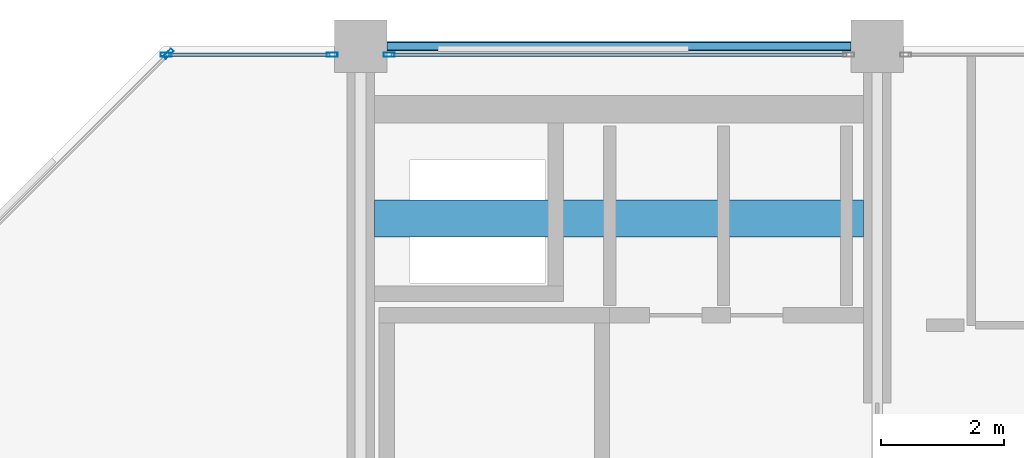
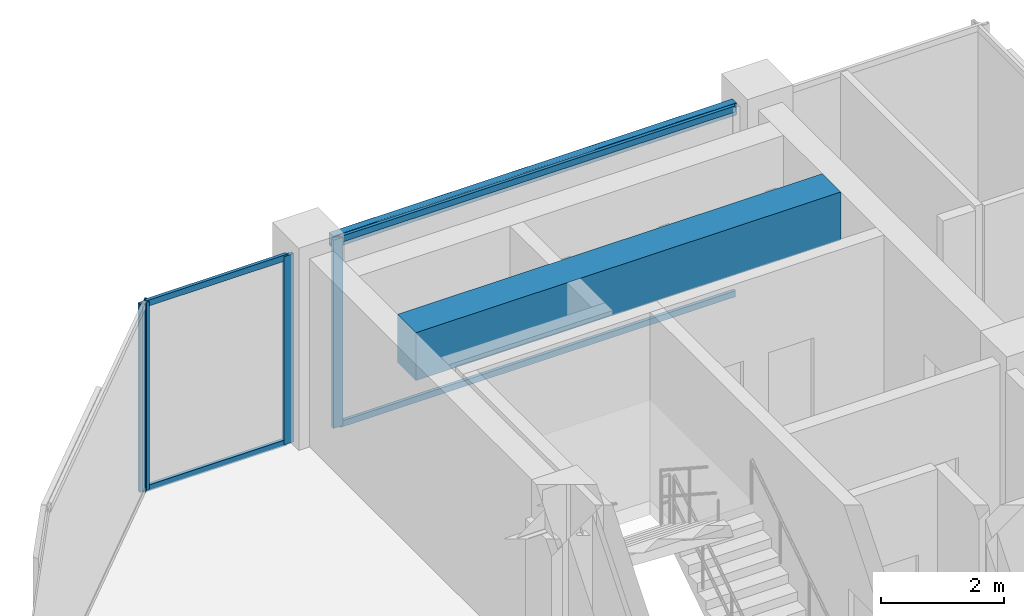
# One storey, part 18 of 26: 8 members, 2 beams, 3 elements without a shape of their own.
"""IFC4 building model written with IfcOpenShell, lengths in metres."""

from ifc_helpers import new_model, si_unit, direction, frame, origin, origin_2d, place, context, subcontext, project, spatial, rectangle, hollow_rectangle, extrude, material, layer, layer_set, material_profile, profile_set, type_object, element, aggregate, save


model = new_model("IFC4")

# Units and contexts
model_context = context("Model", 3, precision=1e-05, world=origin(), true_north=direction((0.0, 1.0)))
body_context = subcontext(model_context, "Body", "Model", "MODEL_VIEW")
ifc_project = project(units=[si_unit("LENGTHUNIT", "METRE"), si_unit("AREAUNIT", "SQUARE_METRE"), si_unit("VOLUMEUNIT", "CUBIC_METRE"), si_unit("PLANEANGLEUNIT", "RADIAN"), si_unit("MASSUNIT", "GRAM", prefix="KILO")], contexts=[model_context])

# Site, building, storey
site_placement = place(None, origin())
site = spatial("IfcSite", under=ifc_project, at=site_placement, CompositionType="ELEMENT")
building_placement = place(site_placement, origin())
building = spatial("IfcBuilding", under=site, at=building_placement, Name="Nerrivon Quay Data Exchange", CompositionType="ELEMENT")
storey_placement = place(building_placement, frame((0.0, 0.0, 258.199951171875)))
storey = spatial("IfcBuildingStorey", under=building, at=storey_placement, Name="L61", CompositionType="ELEMENT", Elevation=258.199951171875)

# Beams
ifc_material_1 = material(Name="Concrete N50 (50 MPa)", Category="concrete")
ifc_material_profile_1 = material_profile(ifc_material_1, rectangle(XDim=0.60009765625, YDim=0.949951171875, at=origin_2d()), Name="RC-CB-600x950")
ifc_profile_set_1 = profile_set([ifc_material_profile_1], Name="Concrete N50 (50 MPa)")
beam_type_1 = type_object("IfcBeamType", Name="BM-CB2-600x950", PredefinedType="LINTEL", material=ifc_profile_set_1)
beam_1_placement = place(storey_placement, frame((8.625, 39.199951171875, 3.25), z_axis=(1.0, 0.0, 0.0), x_axis=(0.0, 1.0, 0.0)))
element("IfcBeam", 1, at=beam_1_placement, inside=storey, type_object=beam_type_1, Name="L61 West Core Coupling Beam", PredefinedType="LINTEL", context=body_context, shape_type="SweptSolid", body=[
    extrude(rectangle(XDim=0.60009765625, YDim=0.949951171875, at=origin_2d()), origin(), (0.0, 0.0, 1.0), 7.949951171875),
])
ifc_material_2 = material(Name="Steel Grade C350L0 (350 MPa)", Category="steel")
ifc_material_profile_2 = material_profile(ifc_material_2, hollow_rectangle(XDim=0.14990234375, YDim=0.25, WallThickness=0.009033203125, InnerFilletRadius=0.013427734375, OuterFilletRadius=0.0224609375, at=origin_2d()), Name="250x150x9.0RHS")
ifc_profile_set_2 = profile_set([ifc_material_profile_2], Name="Steel Grade C350L0 (350 MPa)")
beam_type_2 = type_object("IfcBeamType", Name="BM-SP4-250x150RHS", PredefinedType="SPANDREL", material=ifc_profile_set_2)
beam_2_placement = place(storey_placement, frame((8.824951171875, 42.0, 3.60009765625), z_axis=(1.0, 0.0, 0.0), x_axis=(0.0, 1.0, 0.0)))
element("IfcBeam", 2, at=beam_2_placement, inside=storey, type_object=beam_type_2, Name="L61 EW Girder Y=42.0 (8.4..16.8)", PredefinedType="SPANDREL", context=body_context, shape_type="SweptSolid", body=[
    extrude(hollow_rectangle(XDim=0.14990234375, YDim=0.25, WallThickness=0.009033203125, InnerFilletRadius=0.013427734375, OuterFilletRadius=0.0224609375, at=origin_2d()), origin(), (0.0, 0.0, 1.0), 7.550048828125),
])

# Curtain wall, member
ifc_material_3 = material(Name="Anodised aluminium 6063-T6", Category="aluminium")
ifc_layer = layer(ifc_material_3, 0.195068359375)
ifc_layer_set = layer_set([ifc_layer], Name="Anodised aluminium 6063-T6")
curtain_wall_type = type_object("IfcCurtainWallType", Name="CW-SYS-06", PredefinedType="NOTDEFINED", material=ifc_layer_set)
curtain_wall_1_placement = place(storey_placement, origin())
curtain_wall_1 = element("IfcCurtainWall", 3, at=curtain_wall_1_placement, inside=storey, type_object=curtain_wall_type, Name="L61 Unitised Curtain Wall 16", PredefinedType="NOTDEFINED")
ifc_material_profile_3 = material_profile(ifc_material_3, hollow_rectangle(XDim=0.06494140625, YDim=0.179931640625, WallThickness=0.00341796875, at=origin_2d()), Name="ALU-MULL-180x65")
ifc_profile_set_3 = profile_set([ifc_material_profile_3], Name="Anodised aluminium 6063-T6")
member_type_1 = type_object("IfcMemberType", Name="CWM-180x65", PredefinedType="MULLION", material=ifc_profile_set_3)
member_1_placement = place(storey_placement, frame((5.2724609375, 41.87451171875, 0.0), z_axis=(0.0, 0.0, 1.0), x_axis=(-0.707106781187, 0.707106781187, 0.0)))
member_1 = element("IfcMember", 4, at=member_1_placement, type_object=member_type_1, Name="CW06 mullion 2", PredefinedType="MULLION", context=body_context, shape_type="SweptSolid", body=[
    extrude(hollow_rectangle(XDim=0.06494140625, YDim=0.179931640625, WallThickness=0.00341796875, at=origin_2d()), origin(), (0.0, 0.0, 1.0), 3.72509765625),
])
aggregate(curtain_wall_1, [member_1])

# Curtain wall, members
curtain_wall_2_placement = place(storey_placement, origin())
curtain_wall_2 = element("IfcCurtainWall", 5, at=curtain_wall_2_placement, inside=storey, type_object=curtain_wall_type, Name="L61 Unitised Curtain Wall 17", PredefinedType="NOTDEFINED")
member_2_placement = place(storey_placement, frame((5.237548828125, 41.860107421875, 0.0), z_axis=(0.0, 0.0, 1.0), x_axis=(0.0, 1.0, 0.0)))
member_2 = element("IfcMember", 6, at=member_2_placement, type_object=member_type_1, Name="CW06 mullion 1", PredefinedType="MULLION", context=body_context, shape_type="SweptSolid", body=[
    extrude(hollow_rectangle(XDim=0.06494140625, YDim=0.179931640625, WallThickness=0.00341796875, at=origin_2d()), origin(), (0.0, 0.0, 1.0), 3.72509765625),
])
member_3_placement = place(storey_placement, frame((7.9375, 41.860107421875, 0.0), z_axis=(0.0, 0.0, 1.0), x_axis=(0.0, 1.0, 0.0)))
member_3 = element("IfcMember", 7, at=member_3_placement, type_object=member_type_1, Name="CW06 mullion 2", PredefinedType="MULLION", context=body_context, shape_type="SweptSolid", body=[
    extrude(hollow_rectangle(XDim=0.06494140625, YDim=0.179931640625, WallThickness=0.00341796875, at=origin_2d()), origin(), (0.0, 0.0, 1.0), 3.72509765625),
])

# Curtain wall, member
curtain_wall_3_placement = place(storey_placement, origin())
curtain_wall_3 = element("IfcCurtainWall", 8, at=curtain_wall_3_placement, inside=storey, type_object=curtain_wall_type, Name="L61 Unitised Curtain Wall 18", PredefinedType="NOTDEFINED")
member_4_placement = place(storey_placement, frame((8.862548828125, 41.860107421875, 0.0), z_axis=(0.0, 0.0, 1.0), x_axis=(0.0, 1.0, 0.0)))
member_4 = element("IfcMember", 9, at=member_4_placement, type_object=member_type_1, Name="CW06 mullion 1", PredefinedType="MULLION", context=body_context, shape_type="SweptSolid", body=[
    extrude(hollow_rectangle(XDim=0.06494140625, YDim=0.179931640625, WallThickness=0.00341796875, at=origin_2d()), origin(), (0.0, 0.0, 1.0), 3.72509765625),
])

# Member
ifc_material_profile_4 = material_profile(ifc_material_3, hollow_rectangle(XDim=0.06005859375, YDim=0.1201171875, WallThickness=0.003173828125, at=origin_2d()), Name="ALU-TRAN-120x60")
ifc_profile_set_4 = profile_set([ifc_material_profile_4], Name="Anodised aluminium 6063-T6")
member_type_2 = type_object("IfcMemberType", Name="CWT-120x60", PredefinedType="USERDEFINED", material=ifc_profile_set_4)
member_5_placement = place(storey_placement, frame((5.27490234375, 41.860107421875, 0.032470703125), z_axis=(1.0, 0.0, 0.0), x_axis=(0.0, 1.0, 0.0)))
member_5 = element("IfcMember", 10, at=member_5_placement, type_object=member_type_2, Name="CW06 transom 1.1", ObjectType="TRANSOM", PredefinedType="USERDEFINED", context=body_context, shape_type="SweptSolid", body=[
    extrude(hollow_rectangle(XDim=0.06005859375, YDim=0.1201171875, WallThickness=0.003173828125, at=origin_2d()), origin(), (0.0, 0.0, 1.0), 2.625),
])

member_6_placement = place(storey_placement, frame((5.27490234375, 41.860107421875, 3.692626953125), z_axis=(1.0, 0.0, 0.0), x_axis=(0.0, 1.0, 0.0)))
member_6 = element("IfcMember", 11, at=member_6_placement, type_object=member_type_2, Name="CW06 transom 1.2", ObjectType="TRANSOM", PredefinedType="USERDEFINED", context=body_context, shape_type="SweptSolid", body=[
    extrude(hollow_rectangle(XDim=0.06005859375, YDim=0.1201171875, WallThickness=0.003173828125, at=origin_2d()), origin(), (0.0, 0.0, 1.0), 2.625),
])

aggregate(curtain_wall_2, [member_2, member_3, member_5, member_6])

member_7_placement = place(storey_placement, frame((8.89990234375, 41.860107421875, 0.032470703125), z_axis=(1.0, 0.0, 0.0), x_axis=(0.0, 1.0, 0.0)))
member_7 = element("IfcMember", 12, at=member_7_placement, type_object=member_type_2, Name="CW06 transom 1.1", ObjectType="TRANSOM", PredefinedType="USERDEFINED", context=body_context, shape_type="SweptSolid", body=[
    extrude(hollow_rectangle(XDim=0.06005859375, YDim=0.1201171875, WallThickness=0.003173828125, at=origin_2d()), origin(), (0.0, 0.0, 1.0), 7.400146484375),
])

member_8_placement = place(storey_placement, frame((8.89990234375, 41.860107421875, 3.692626953125), z_axis=(1.0, 0.0, 0.0), x_axis=(0.0, 1.0, 0.0)))
member_8 = element("IfcMember", 13, at=member_8_placement, type_object=member_type_2, Name="CW06 transom 1.2", ObjectType="TRANSOM", PredefinedType="USERDEFINED", context=body_context, shape_type="SweptSolid", body=[
    extrude(hollow_rectangle(XDim=0.06005859375, YDim=0.1201171875, WallThickness=0.003173828125, at=origin_2d()), origin(), (0.0, 0.0, 1.0), 7.400146484375),
])

aggregate(curtain_wall_3, [member_4, member_7, member_8])

save(model, "model.ifc")
